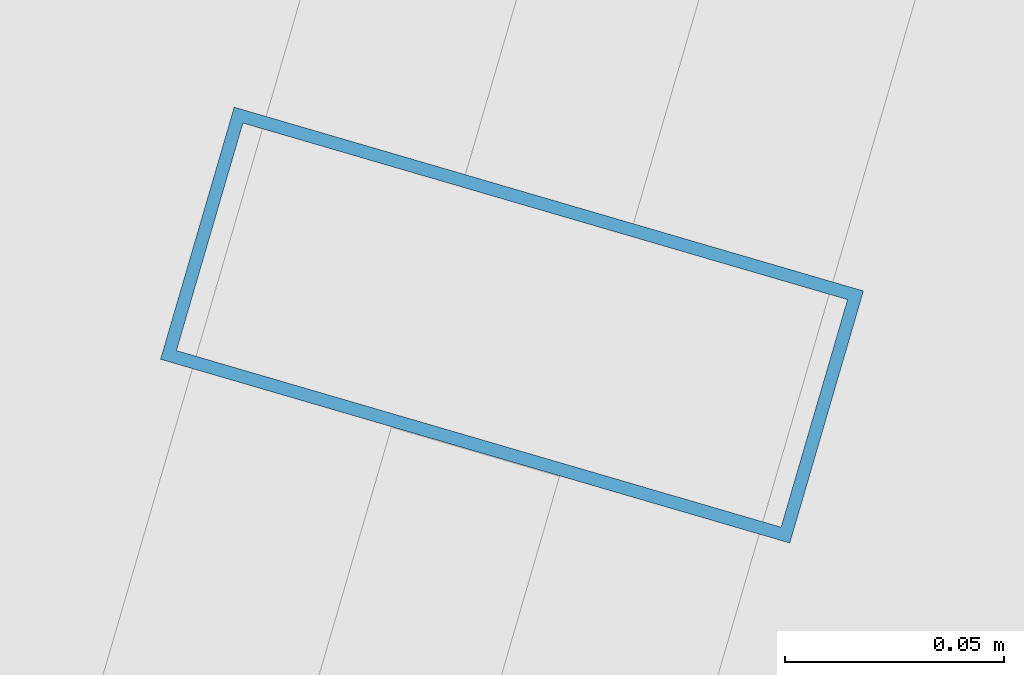
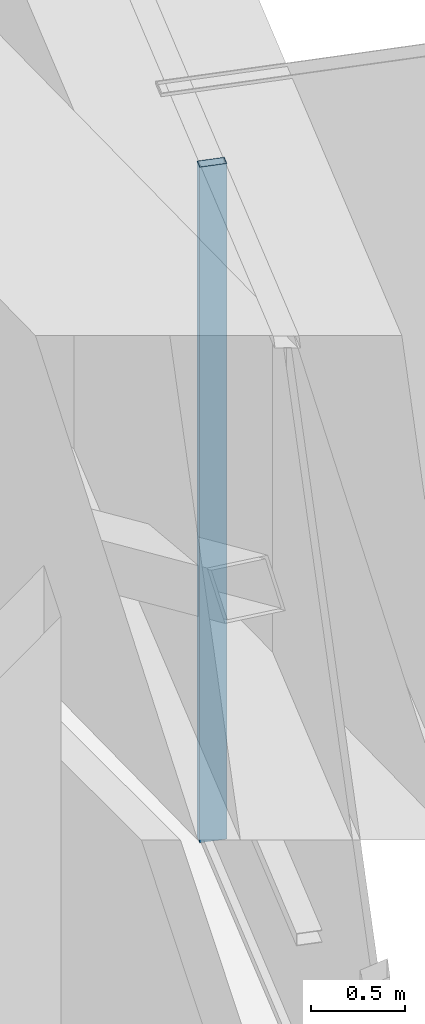
# One storey, part 24 of 39: 1 member, 1 element without a shape of its own.
"""IFC4 building model written with IfcOpenShell, lengths in metres."""

from ifc_helpers import new_model, si_unit, direction, frame, origin, origin_2d, place, context, subcontext, project, spatial, hollow_rectangle, extrude, source, transform, mapped, material, layer, layer_set, material_profile, profile_set, type_object, element, aggregate, save


model = new_model("IFC4")

# Units and contexts
model_context = context("Model", 3, precision=1e-05, world=origin(), true_north=direction((0.0, 1.0)))
body_context = subcontext(model_context, "Body", "Model", "MODEL_VIEW")
ifc_project = project(units=[si_unit("LENGTHUNIT", "METRE"), si_unit("AREAUNIT", "SQUARE_METRE"), si_unit("VOLUMEUNIT", "CUBIC_METRE"), si_unit("PLANEANGLEUNIT", "RADIAN"), si_unit("MASSUNIT", "GRAM", prefix="KILO")], contexts=[model_context])

# Site, building, storey
site_placement = place(None, origin())
site = spatial("IfcSite", under=ifc_project, at=site_placement, CompositionType="ELEMENT")
building_placement = place(site_placement, origin())
building = spatial("IfcBuilding", under=site, at=building_placement, Name="Veraguas Prism Commons", CompositionType="ELEMENT")
storey_placement = place(building_placement, frame((0.0, 0.0, 264.25)))
storey = spatial("IfcBuildingStorey", under=building, at=storey_placement, Name="L75", CompositionType="ELEMENT", Elevation=264.25)

# Curtain wall, member
ifc_material = material(Name="Anodised aluminium EN AW-6063 T6", Category="aluminium")
ifc_layer = layer(ifc_material, 0.14990234375, Name="Unitised Flush Curtain Wall Zone 4", Category="aluminium")
ifc_layer_set = layer_set([ifc_layer], Name="Anodised aluminium EN AW-6063 T6")
curtain_wall_type = type_object("IfcCurtainWallType", Name="Unitised Flush Curtain Wall Zone 4", PredefinedType="NOTDEFINED", material=ifc_layer_set)
curtain_wall_placement = place(storey_placement, origin())
curtain_wall = element("IfcCurtainWall", 1, at=curtain_wall_placement, inside=storey, type_object=curtain_wall_type, Name="Tower Facade Curtain Wall L75-F6", PredefinedType="NOTDEFINED")
ifc_material_profile = material_profile(ifc_material, hollow_rectangle(XDim=0.06005859375, YDim=0.14990234375, WallThickness=0.0029296875, at=origin_2d()), Name="AL60X150X3")
ifc_profile_set = profile_set([ifc_material_profile], Name="Anodised aluminium EN AW-6063 T6")
member_type = type_object("IfcMemberType", Name="Curtain Wall Mullion Upper AL 60x150x3", PredefinedType="MULLION", material=ifc_profile_set)
shared_shape = source(origin(), body_context, "Body", "SweptSolid", [
    extrude(hollow_rectangle(XDim=0.06005859375, YDim=0.14990234375, WallThickness=0.0029296875, at=origin_2d()), origin(), (0.0, 0.0, 1.0), 4.389892578125),
])
member_placement = place(storey_placement, frame((38.759765625, 15.84375, 0.0), z_axis=(0.0, 0.0, 1.0), x_axis=(0.28033835796, 0.959901247554, 0.0)))
member = element("IfcMember", 2, at=member_placement, type_object=member_type, Name="CW-Z4 Mullion 2", PredefinedType="MULLION", context=body_context, shape_type="MappedRepresentation", body=[
    mapped(shared_shape, transform((0.0, 0.0, 0.0), scale=1.0)),
])
aggregate(curtain_wall, [member])

save(model, "model.ifc")
